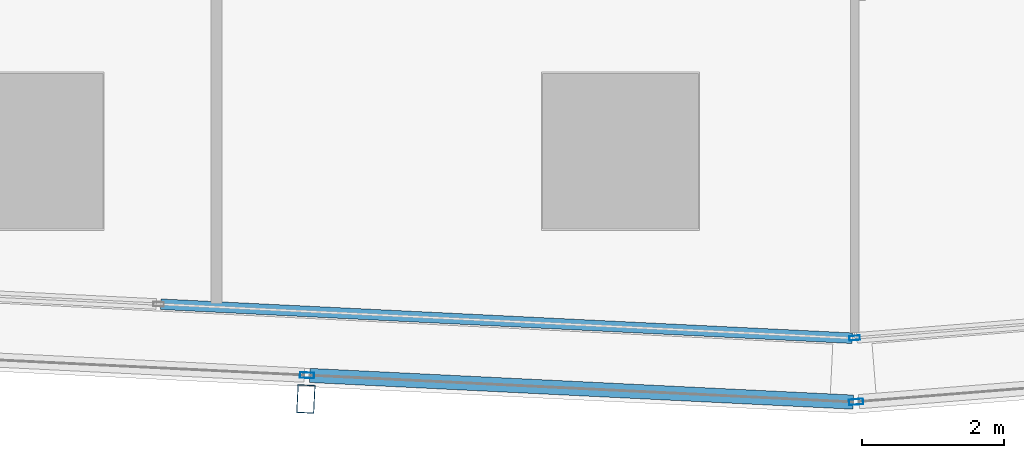
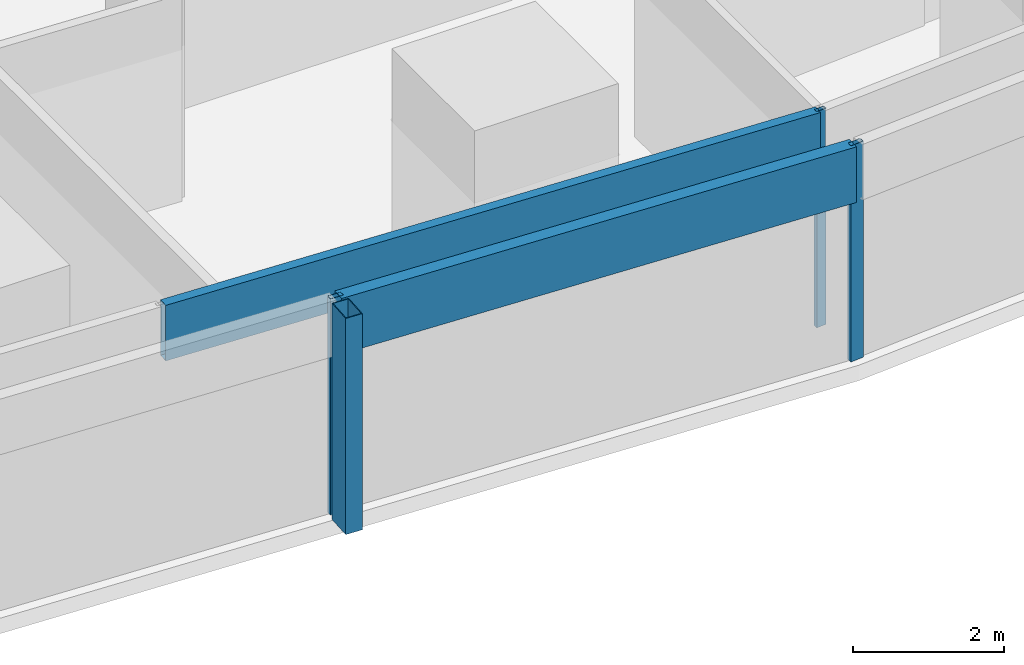
# One storey, part 9 of 44: 6 members, 4 elements without a shape of their own.
"""IFC4 building model written with IfcOpenShell, lengths in metres."""

from ifc_helpers import new_model, si_unit, direction, frame, origin, origin_2d, place, context, subcontext, project, spatial, hollow_rectangle, extrude, material, material_profile, profile_set, type_object, element, aggregate, save


model = new_model("IFC4")

# Units and contexts
model_context = context("Model", 3, precision=1e-05, world=origin(), true_north=direction((0.0, 1.0)))
body_context = subcontext(model_context, "Body", "Model", "MODEL_VIEW")
ifc_project = project(units=[si_unit("LENGTHUNIT", "METRE"), si_unit("AREAUNIT", "SQUARE_METRE"), si_unit("VOLUMEUNIT", "CUBIC_METRE"), si_unit("PLANEANGLEUNIT", "RADIAN"), si_unit("MASSUNIT", "GRAM", prefix="KILO")], contexts=[model_context])

# Site, building, storey
site_placement = place(None, origin())
site = spatial("IfcSite", under=ifc_project, at=site_placement, CompositionType="ELEMENT")
building_placement = place(site_placement, origin())
building = spatial("IfcBuilding", under=site, at=building_placement, Name="Rekha Terrace Tower", CompositionType="ELEMENT")
storey_placement = place(building_placement, frame((0.0, 0.0, 51.64990234375)))
storey = spatial("IfcBuildingStorey", under=building, at=storey_placement, Name="L12", CompositionType="ELEMENT", Elevation=51.64990234375)

# Curtain wall, member
ifc_material_1 = material(Name="Aluminium framing", Category="aluminium")
curtain_wall_type_1 = type_object("IfcCurtainWallType", Name="CW2 double skin outer glazing", PredefinedType="USERDEFINED", material=ifc_material_1)
curtain_wall_1_placement = place(storey_placement, origin())
curtain_wall_1 = element("IfcCurtainWall", 1, at=curtain_wall_1_placement, inside=storey, type_object=curtain_wall_type_1, Name="CW2 double skin outer glazing", ObjectType="DOUBLE SKIN OUTER GLAZING", PredefinedType="USERDEFINED")
ifc_material_2 = material(Name="Steel S355 with fluorocarbon finish", Category="steel")
ifc_material_profile_1 = material_profile(ifc_material_2, hollow_rectangle(XDim=0.25, YDim=0.39990234375, WallThickness=0.012451171875, at=origin_2d()), Name="RHS400x250x12.5")
ifc_profile_set_1 = profile_set([ifc_material_profile_1], Name="Steel S355 with fluorocarbon finish")
member_type_1 = type_object("IfcMemberType", Name="BL1 facade blade RHS 400 x 250", PredefinedType="USERDEFINED", material=ifc_profile_set_1)
member_1_placement = place(storey_placement, frame((37.562744140625, 4.904296875, 0.0), z_axis=(0.0, 0.0, 1.0), x_axis=(0.998796226835, -0.049051985279, 0.0)))
member_1 = element("IfcMember", 2, at=member_1_placement, type_object=member_type_1, Name="Facade blade", ObjectType="FACADE BLADE", PredefinedType="USERDEFINED", context=body_context, shape_type="SweptSolid", body=[
    extrude(hollow_rectangle(XDim=0.25, YDim=0.39990234375, WallThickness=0.012451171875, at=origin_2d()), origin(), (0.0, 0.0, 1.0), 3.5),
])

curtain_wall_type_2 = type_object("IfcCurtainWallType", Name="CW1 double skin inner glazing", PredefinedType="USERDEFINED", material=ifc_material_1)
curtain_wall_2_placement = place(storey_placement, origin())
curtain_wall_2 = element("IfcCurtainWall", 3, at=curtain_wall_2_placement, inside=storey, type_object=curtain_wall_type_2, Name="CW1 double skin inner glazing", ObjectType="DOUBLE SKIN INNER GLAZING", PredefinedType="USERDEFINED")
ifc_material_3 = material(Name="Aluminium mullion section", Category="aluminium")
ifc_material_profile_2 = material_profile(ifc_material_3, hollow_rectangle(XDim=0.06494140625, YDim=0.14990234375, WallThickness=0.00390625, at=origin_2d()), Name="AL RHS 65x150")
ifc_profile_set_2 = profile_set([ifc_material_profile_2], Name="Aluminium mullion section")
member_type_2 = type_object("IfcMemberType", Name="CW1 mullion RHS 65 x 150", PredefinedType="MULLION", material=ifc_profile_set_2)
member_2_placement = place(storey_placement, frame((45.303955078125, 5.7646484375, 0.0), z_axis=(0.0, 0.0, 1.0), x_axis=(-0.079872204468, 0.996805111821, 0.0)))
member_2 = element("IfcMember", 4, at=member_2_placement, type_object=member_type_2, Name="CW1 mullion 1", PredefinedType="MULLION", context=body_context, shape_type="SweptSolid", body=[
    extrude(hollow_rectangle(XDim=0.06494140625, YDim=0.14990234375, WallThickness=0.00390625, at=origin_2d()), origin(), (0.0, 0.0, 1.0), 3.5),
])
aggregate(curtain_wall_2, [member_2])

curtain_wall_3_placement = place(storey_placement, origin())
curtain_wall_3 = element("IfcCurtainWall", 5, at=curtain_wall_3_placement, inside=storey, type_object=curtain_wall_type_2, Name="CW1 double skin inner glazing", ObjectType="DOUBLE SKIN INNER GLAZING", PredefinedType="USERDEFINED")
ifc_material_4 = material(Name="Insulated aluminium spandrel box", Category="aluminium")
ifc_material_profile_3 = material_profile(ifc_material_4, hollow_rectangle(XDim=0.14990234375, YDim=0.89990234375, WallThickness=0.0029296875, at=origin_2d()), Name="AL SPANDREL BOX 150x900")
ifc_profile_set_3 = profile_set([ifc_material_profile_3], Name="Insulated aluminium spandrel box")
member_type_3 = type_object("IfcMemberType", Name="CW1 spandrel transom 150 x 900", PredefinedType="USERDEFINED", material=ifc_profile_set_3)
member_3_placement = place(storey_placement, frame((35.516357421875, 6.2412109375, 3.050048828125), z_axis=(0.998795409084, -0.049068633482, 0.0), x_axis=(0.049068633482, 0.998795409084, 0.0)))
member_3 = element("IfcMember", 6, at=member_3_placement, type_object=member_type_3, Name="CW1 spandrel transom 3", ObjectType="TRANSOM", PredefinedType="USERDEFINED", context=body_context, shape_type="SweptSolid", body=[
    extrude(hollow_rectangle(XDim=0.14990234375, YDim=0.89990234375, WallThickness=0.0029296875, at=origin_2d()), origin(), (0.0, 0.0, 1.0), 9.766845703125),
])
aggregate(curtain_wall_3, [member_3])

# Member
ifc_material_profile_4 = material_profile(ifc_material_3, hollow_rectangle(XDim=0.080078125, YDim=0.199951171875, WallThickness=0.00390625, at=origin_2d()), Name="AL RHS 80x200")
ifc_profile_set_4 = profile_set([ifc_material_profile_4], Name="Aluminium mullion section")
member_type_4 = type_object("IfcMemberType", Name="CW2 mullion RHS 80 x 200", PredefinedType="MULLION", material=ifc_profile_set_4)
member_4_placement = place(storey_placement, frame((37.5791015625, 5.23876953125, 0.0), z_axis=(0.0, 0.0, 1.0), x_axis=(0.049051717746, 0.998796239974, 0.0)))
member_4 = element("IfcMember", 7, at=member_4_placement, type_object=member_type_4, Name="CW2 mullion 5", PredefinedType="MULLION", context=body_context, shape_type="SweptSolid", body=[
    extrude(hollow_rectangle(XDim=0.080078125, YDim=0.199951171875, WallThickness=0.00390625, at=origin_2d()), origin(), (0.0, 0.0, 1.0), 3.5),
])

# Curtain wall, member
curtain_wall_4_placement = place(storey_placement, origin())
curtain_wall_4 = element("IfcCurtainWall", 8, at=curtain_wall_4_placement, inside=storey, type_object=curtain_wall_type_1, Name="CW2 double skin outer glazing", ObjectType="DOUBLE SKIN OUTER GLAZING", PredefinedType="USERDEFINED")
member_5_placement = place(storey_placement, frame((45.325439453125, 4.863525390625, 0.0), z_axis=(0.0, 0.0, 1.0), x_axis=(-0.079872204468, 0.996805111821, 0.0)))
member_5 = element("IfcMember", 9, at=member_5_placement, type_object=member_type_4, Name="CW2 mullion 1", PredefinedType="MULLION", context=body_context, shape_type="SweptSolid", body=[
    extrude(hollow_rectangle(XDim=0.080078125, YDim=0.199951171875, WallThickness=0.00390625, at=origin_2d()), origin(), (0.0, 0.0, 1.0), 3.5),
])
aggregate(curtain_wall_4, [member_5])

# Member
ifc_material_profile_5 = material_profile(ifc_material_4, hollow_rectangle(XDim=0.199951171875, YDim=0.89990234375, WallThickness=0.0029296875, at=origin_2d()), Name="AL SPANDREL BOX 200x900")
ifc_profile_set_5 = profile_set([ifc_material_profile_5], Name="Insulated aluminium spandrel box")
member_type_5 = type_object("IfcMemberType", Name="CW2 spandrel transom 200 x 900", PredefinedType="USERDEFINED", material=ifc_profile_set_5)
member_6_placement = place(storey_placement, frame((37.619140625, 5.23681640625, 3.050048828125), z_axis=(0.998796518042, -0.049046055373, 0.0), x_axis=(0.049046055373, 0.998796518042, 0.0)))
member_6 = element("IfcMember", 10, at=member_6_placement, type_object=member_type_5, Name="CW2 spandrel transom 5", ObjectType="TRANSOM", PredefinedType="USERDEFINED", context=body_context, shape_type="SweptSolid", body=[
    extrude(hollow_rectangle(XDim=0.199951171875, YDim=0.89990234375, WallThickness=0.0029296875, at=origin_2d()), origin(), (0.0, 0.0, 1.0), 7.67578125),
])

aggregate(curtain_wall_1, [member_4, member_6, member_1])

save(model, "model.ifc")
